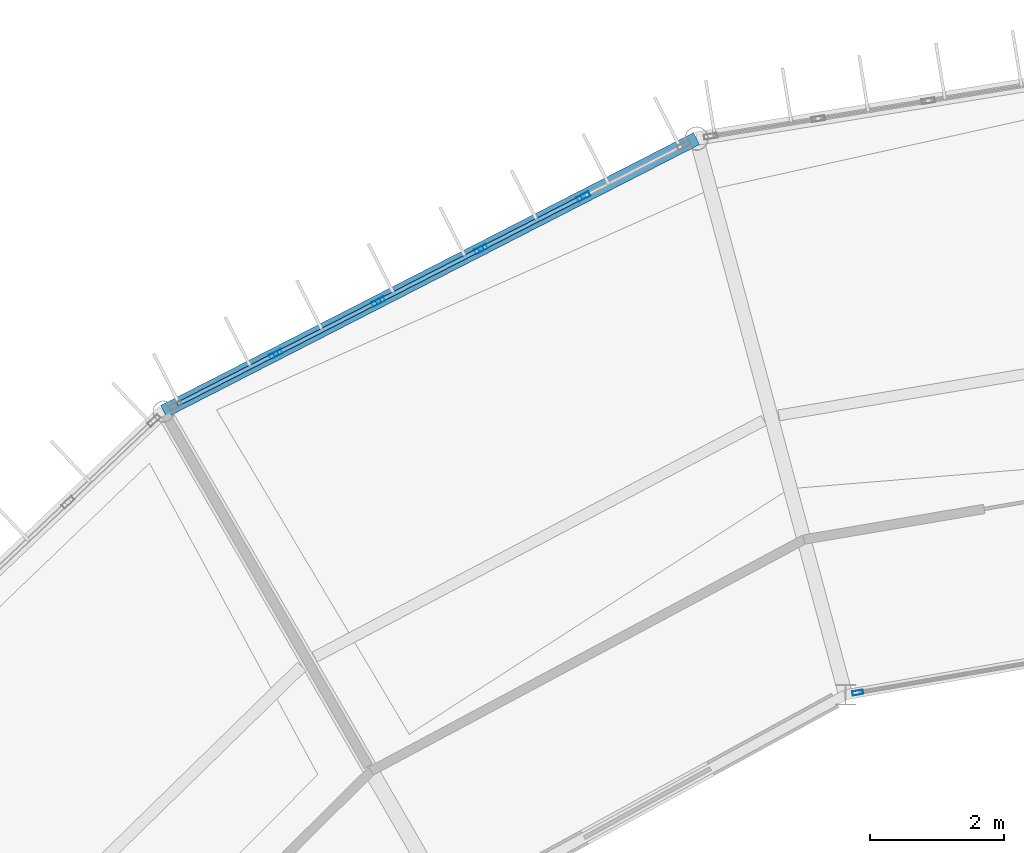
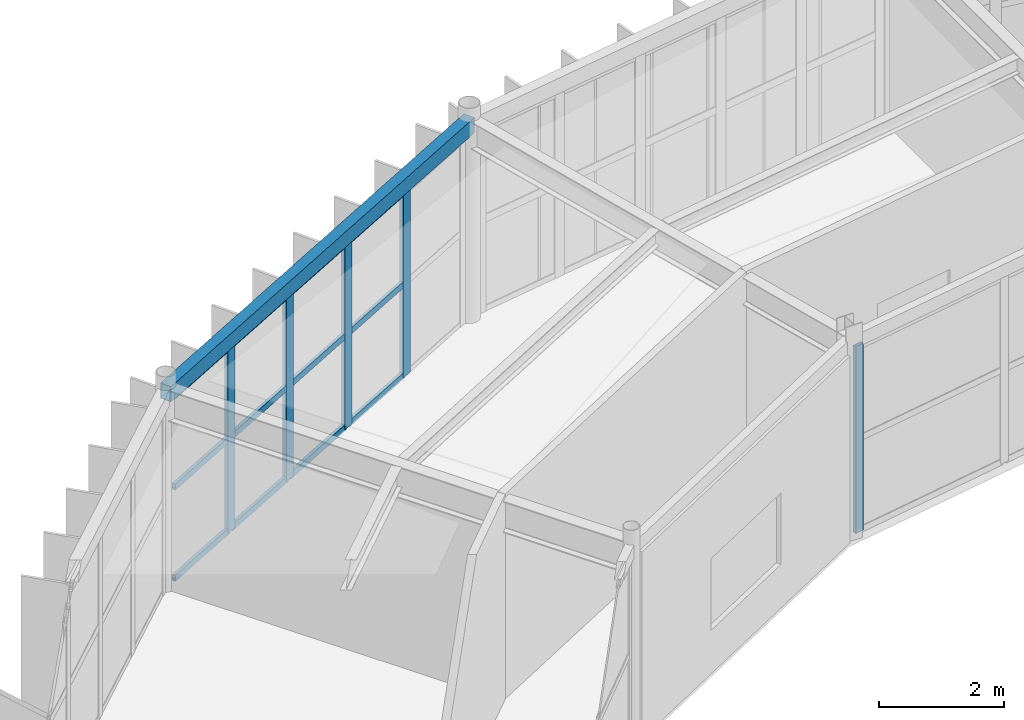
# One storey, part 78 of 147: 17 members, 1 beam, 2 elements without a shape of their own.
"""IFC4 building model written with IfcOpenShell, lengths in metres."""

from ifc_helpers import new_model, si_unit, direction, frame, origin, origin_2d, place, context, subcontext, project, spatial, hollow_rectangle, extrude, material, material_profile, profile_set, type_object, element, aggregate, save


model = new_model("IFC4")

# Units and contexts
model_context = context("Model", 3, precision=1e-05, world=origin(), true_north=direction((0.0, 1.0)))
body_context = subcontext(model_context, "Body", "Model", "MODEL_VIEW")
ifc_project = project(units=[si_unit("LENGTHUNIT", "METRE"), si_unit("AREAUNIT", "SQUARE_METRE"), si_unit("VOLUMEUNIT", "CUBIC_METRE"), si_unit("PLANEANGLEUNIT", "RADIAN"), si_unit("MASSUNIT", "GRAM", prefix="KILO")], contexts=[model_context])

# Site, building, storey
site_placement = place(None, origin())
site = spatial("IfcSite", under=ifc_project, at=site_placement, CompositionType="ELEMENT")
building_placement = place(site_placement, origin())
building = spatial("IfcBuilding", under=site, at=building_placement, Name="Karori Crest Natural Sciences Institute", CompositionType="ELEMENT")
storey_placement = place(building_placement, frame((0.0, 0.0, 9.10009765625)))
storey = spatial("IfcBuildingStorey", under=building, at=storey_placement, Name="L02", CompositionType="ELEMENT", Elevation=9.10009765625)

# Beam
ifc_material_1 = material(Name="Hollow structural steel AS/NZS 1163 Grade C350", Category="steel")
ifc_material_profile_1 = material_profile(ifc_material_1, hollow_rectangle(XDim=0.199951171875, YDim=0.300048828125, WallThickness=0.010009765625, at=origin_2d()), Name="RHS300x200x10")
ifc_profile_set_1 = profile_set([ifc_material_profile_1], Name="Hollow structural steel AS/NZS 1163 Grade C350")
beam_type = type_object("IfcBeamType", Name="BT-15", PredefinedType="SPANDREL", material=ifc_profile_set_1)
beam_placement = place(storey_placement, frame((57.85888671875, 89.309814453125, 3.789794921875), z_axis=(-0.890071733872, -0.455820478436, 0.0), x_axis=(0.455820478436, -0.890071733872, 0.0)))
element("IfcBeam", 1, at=beam_placement, inside=storey, type_object=beam_type, Name="Beam B-0297", PredefinedType="SPANDREL", context=body_context, shape_type="SweptSolid", body=[
    extrude(hollow_rectangle(XDim=0.199951171875, YDim=0.300048828125, WallThickness=0.010009765625, at=origin_2d()), origin(), (0.0, 0.0, 1.0), 8.94189453125),
])

# Curtain wall, member
ifc_material_2 = material(Name="Anodised architectural aluminium 6063-T6", Category="aluminium")
curtain_wall_type_1 = type_object("IfcCurtainWallType", Name="CWT-12", PredefinedType="NOTDEFINED", material=ifc_material_2)
curtain_wall_1_placement = place(storey_placement, origin())
curtain_wall_1 = element("IfcCurtainWall", 2, at=curtain_wall_1_placement, inside=storey, type_object=curtain_wall_type_1, Name="Curtain wall CW-0075", PredefinedType="NOTDEFINED")
ifc_material_profile_2 = material_profile(ifc_material_2, hollow_rectangle(XDim=0.06494140625, YDim=0.159912109375, WallThickness=0.00390625, at=origin_2d()), Name="CWM160x65x4")
ifc_profile_set_2 = profile_set([ifc_material_profile_2], Name="Anodised architectural aluminium 6063-T6")
member_type_1 = type_object("IfcMemberType", Name="CWM-01", PredefinedType="MULLION", material=ifc_profile_set_2)
member_1_placement = place(storey_placement, frame((60.267333984375, 81.03466796875, 0.0), z_axis=(0.0, 0.0, 1.0), x_axis=(0.171170381048, -0.985241442821, 0.0)))
member_1 = element("IfcMember", 3, at=member_1_placement, type_object=member_type_1, Name="CW-0075 mullion 3", PredefinedType="MULLION", context=body_context, shape_type="SweptSolid", body=[
    extrude(hollow_rectangle(XDim=0.06494140625, YDim=0.159912109375, WallThickness=0.00390625, at=origin_2d()), origin(), (0.0, 0.0, 1.0), 3.64990234375),
])
aggregate(curtain_wall_1, [member_1])

# Curtain wall, members
curtain_wall_type_2 = type_object("IfcCurtainWallType", Name="CWT-08", PredefinedType="NOTDEFINED", material=ifc_material_2)
curtain_wall_2_placement = place(storey_placement, origin())
curtain_wall_2 = element("IfcCurtainWall", 4, at=curtain_wall_2_placement, inside=storey, type_object=curtain_wall_type_2, Name="Curtain wall CW-0076", PredefinedType="NOTDEFINED")
ifc_material_profile_3 = material_profile(ifc_material_2, hollow_rectangle(XDim=0.074951171875, YDim=0.199951171875, WallThickness=0.0048828125, at=origin_2d()), Name="CWM200x75x5")
ifc_profile_set_3 = profile_set([ifc_material_profile_3], Name="Anodised architectural aluminium 6063-T6")
member_type_2 = type_object("IfcMemberType", Name="CWM-02", PredefinedType="MULLION", material=ifc_profile_set_3)
member_2_placement = place(storey_placement, frame((51.574462890625, 86.09130859375, 0.0), z_axis=(0.0, 0.0, 1.0), x_axis=(-0.455832988828, 0.890065326982, 0.0)))
member_2 = element("IfcMember", 5, at=member_2_placement, type_object=member_type_2, Name="CW-0076 mullion 2", PredefinedType="MULLION", context=body_context, shape_type="SweptSolid", body=[
    extrude(hollow_rectangle(XDim=0.074951171875, YDim=0.199951171875, WallThickness=0.0048828125, at=origin_2d()), origin(), (0.0, 0.0, 1.0), 3.625),
])
member_3_placement = place(storey_placement, frame((53.1064453125, 86.8759765625, 0.0), z_axis=(0.0, 0.0, 1.0), x_axis=(-0.455832988828, 0.890065326982, 0.0)))
member_3 = element("IfcMember", 6, at=member_3_placement, type_object=member_type_2, Name="CW-0076 mullion 3", PredefinedType="MULLION", context=body_context, shape_type="SweptSolid", body=[
    extrude(hollow_rectangle(XDim=0.074951171875, YDim=0.199951171875, WallThickness=0.0048828125, at=origin_2d()), origin(), (0.0, 0.0, 1.0), 3.625),
])
member_4_placement = place(storey_placement, frame((54.638427734375, 87.660400390625, 0.0), z_axis=(0.0, 0.0, 1.0), x_axis=(-0.455832988828, 0.890065326982, 0.0)))
member_4 = element("IfcMember", 7, at=member_4_placement, type_object=member_type_2, Name="CW-0076 mullion 4", PredefinedType="MULLION", context=body_context, shape_type="SweptSolid", body=[
    extrude(hollow_rectangle(XDim=0.074951171875, YDim=0.199951171875, WallThickness=0.0048828125, at=origin_2d()), origin(), (0.0, 0.0, 1.0), 3.625),
])
member_5_placement = place(storey_placement, frame((56.17041015625, 88.445068359375, 0.0), z_axis=(0.0, 0.0, 1.0), x_axis=(-0.455832988828, 0.890065326982, 0.0)))
member_5 = element("IfcMember", 8, at=member_5_placement, type_object=member_type_2, Name="CW-0076 mullion 5", PredefinedType="MULLION", context=body_context, shape_type="SweptSolid", body=[
    extrude(hollow_rectangle(XDim=0.074951171875, YDim=0.199951171875, WallThickness=0.0048828125, at=origin_2d()), origin(), (0.0, 0.0, 1.0), 3.625),
])
ifc_material_profile_4 = material_profile(ifc_material_2, hollow_rectangle(XDim=0.06005859375, YDim=0.1201171875, WallThickness=0.00390625, at=origin_2d()), Name="CWT120x60x4")
ifc_profile_set_4 = profile_set([ifc_material_profile_4], Name="Anodised architectural aluminium 6063-T6")
member_type_3 = type_object("IfcMemberType", Name="CWT-TR1", PredefinedType="USERDEFINED", material=ifc_profile_set_4)
member_6_placement = place(storey_placement, frame((50.109130859375, 85.3408203125, 0.02978515625), z_axis=(0.890044866674, 0.455872937679, 0.0), x_axis=(-0.455872937679, 0.890044866674, 0.0)))
member_6 = element("IfcMember", 9, at=member_6_placement, type_object=member_type_3, Name="CW-0076 transom 1.1", ObjectType="TRANSOM", PredefinedType="USERDEFINED", context=body_context, shape_type="SweptSolid", body=[
    extrude(hollow_rectangle(XDim=0.06005859375, YDim=0.1201171875, WallThickness=0.00390625, at=origin_2d()), origin(), (0.0, 0.0, 1.0), 1.60888671875),
])
member_7_placement = place(storey_placement, frame((50.109130859375, 85.3408203125, 1.8125), z_axis=(0.890044866674, 0.455872937679, 0.0), x_axis=(-0.455872937679, 0.890044866674, 0.0)))
member_7 = element("IfcMember", 10, at=member_7_placement, type_object=member_type_3, Name="CW-0076 transom 1.2", ObjectType="TRANSOM", PredefinedType="USERDEFINED", context=body_context, shape_type="SweptSolid", body=[
    extrude(hollow_rectangle(XDim=0.06005859375, YDim=0.1201171875, WallThickness=0.00390625, at=origin_2d()), origin(), (0.0, 0.0, 1.0), 1.60888671875),
])
member_8_placement = place(storey_placement, frame((50.109130859375, 85.3408203125, 3.594970703125), z_axis=(0.890044866674, 0.455872937679, 0.0), x_axis=(-0.455872937679, 0.890044866674, 0.0)))
member_8 = element("IfcMember", 11, at=member_8_placement, type_object=member_type_3, Name="CW-0076 transom 1.3", ObjectType="TRANSOM", PredefinedType="USERDEFINED", context=body_context, shape_type="SweptSolid", body=[
    extrude(hollow_rectangle(XDim=0.06005859375, YDim=0.1201171875, WallThickness=0.00390625, at=origin_2d()), origin(), (0.0, 0.0, 1.0), 1.60888671875),
])
member_9_placement = place(storey_placement, frame((51.60791015625, 86.1083984375, 0.02978515625), z_axis=(0.890024283327, 0.455913122304, 0.0), x_axis=(-0.455913122304, 0.890024283327, 0.0)))
member_9 = element("IfcMember", 12, at=member_9_placement, type_object=member_type_3, Name="CW-0076 transom 2.1", ObjectType="TRANSOM", PredefinedType="USERDEFINED", context=body_context, shape_type="SweptSolid", body=[
    extrude(hollow_rectangle(XDim=0.06005859375, YDim=0.1201171875, WallThickness=0.00390625, at=origin_2d()), origin(), (0.0, 0.0, 1.0), 1.646240234375),
])
member_10_placement = place(storey_placement, frame((51.60791015625, 86.1083984375, 1.8125), z_axis=(0.890024283327, 0.455913122304, 0.0), x_axis=(-0.455913122304, 0.890024283327, 0.0)))
member_10 = element("IfcMember", 13, at=member_10_placement, type_object=member_type_3, Name="CW-0076 transom 2.2", ObjectType="TRANSOM", PredefinedType="USERDEFINED", context=body_context, shape_type="SweptSolid", body=[
    extrude(hollow_rectangle(XDim=0.06005859375, YDim=0.1201171875, WallThickness=0.00390625, at=origin_2d()), origin(), (0.0, 0.0, 1.0), 1.646240234375),
])
member_11_placement = place(storey_placement, frame((51.60791015625, 86.1083984375, 3.594970703125), z_axis=(0.890024283327, 0.455913122304, 0.0), x_axis=(-0.455913122304, 0.890024283327, 0.0)))
member_11 = element("IfcMember", 14, at=member_11_placement, type_object=member_type_3, Name="CW-0076 transom 2.3", ObjectType="TRANSOM", PredefinedType="USERDEFINED", context=body_context, shape_type="SweptSolid", body=[
    extrude(hollow_rectangle(XDim=0.06005859375, YDim=0.1201171875, WallThickness=0.00390625, at=origin_2d()), origin(), (0.0, 0.0, 1.0), 1.646240234375),
])
member_12_placement = place(storey_placement, frame((53.139892578125, 86.89306640625, 0.02978515625), z_axis=(0.890084461025, 0.455795625518, 0.0), x_axis=(-0.455795625518, 0.890084461025, 0.0)))
member_12 = element("IfcMember", 15, at=member_12_placement, type_object=member_type_3, Name="CW-0076 transom 3.1", ObjectType="TRANSOM", PredefinedType="USERDEFINED", context=body_context, shape_type="SweptSolid", body=[
    extrude(hollow_rectangle(XDim=0.06005859375, YDim=0.1201171875, WallThickness=0.00390625, at=origin_2d()), origin(), (0.0, 0.0, 1.0), 1.64599609375),
])
member_13_placement = place(storey_placement, frame((53.139892578125, 86.89306640625, 1.8125), z_axis=(0.890084461025, 0.455795625518, 0.0), x_axis=(-0.455795625518, 0.890084461025, 0.0)))
member_13 = element("IfcMember", 16, at=member_13_placement, type_object=member_type_3, Name="CW-0076 transom 3.2", ObjectType="TRANSOM", PredefinedType="USERDEFINED", context=body_context, shape_type="SweptSolid", body=[
    extrude(hollow_rectangle(XDim=0.06005859375, YDim=0.1201171875, WallThickness=0.00390625, at=origin_2d()), origin(), (0.0, 0.0, 1.0), 1.64599609375),
])
member_14_placement = place(storey_placement, frame((53.139892578125, 86.89306640625, 3.594970703125), z_axis=(0.890084461025, 0.455795625518, 0.0), x_axis=(-0.455795625518, 0.890084461025, 0.0)))
member_14 = element("IfcMember", 17, at=member_14_placement, type_object=member_type_3, Name="CW-0076 transom 3.3", ObjectType="TRANSOM", PredefinedType="USERDEFINED", context=body_context, shape_type="SweptSolid", body=[
    extrude(hollow_rectangle(XDim=0.06005859375, YDim=0.1201171875, WallThickness=0.00390625, at=origin_2d()), origin(), (0.0, 0.0, 1.0), 1.64599609375),
])
member_15_placement = place(storey_placement, frame((54.671875, 87.677490234375, 0.02978515625), z_axis=(0.890055105015, 0.45585294782, 0.0), x_axis=(-0.45585294782, 0.890055105015, 0.0)))
member_15 = element("IfcMember", 18, at=member_15_placement, type_object=member_type_3, Name="CW-0076 transom 4.1", ObjectType="TRANSOM", PredefinedType="USERDEFINED", context=body_context, shape_type="SweptSolid", body=[
    extrude(hollow_rectangle(XDim=0.06005859375, YDim=0.1201171875, WallThickness=0.00390625, at=origin_2d()), origin(), (0.0, 0.0, 1.0), 1.646240234375),
])
member_16_placement = place(storey_placement, frame((54.671875, 87.677490234375, 1.8125), z_axis=(0.890055105015, 0.45585294782, 0.0), x_axis=(-0.45585294782, 0.890055105015, 0.0)))
member_16 = element("IfcMember", 19, at=member_16_placement, type_object=member_type_3, Name="CW-0076 transom 4.2", ObjectType="TRANSOM", PredefinedType="USERDEFINED", context=body_context, shape_type="SweptSolid", body=[
    extrude(hollow_rectangle(XDim=0.06005859375, YDim=0.1201171875, WallThickness=0.00390625, at=origin_2d()), origin(), (0.0, 0.0, 1.0), 1.646240234375),
])
member_17_placement = place(storey_placement, frame((54.671875, 87.677490234375, 3.594970703125), z_axis=(0.890055105015, 0.45585294782, 0.0), x_axis=(-0.45585294782, 0.890055105015, 0.0)))
member_17 = element("IfcMember", 20, at=member_17_placement, type_object=member_type_3, Name="CW-0076 transom 4.3", ObjectType="TRANSOM", PredefinedType="USERDEFINED", context=body_context, shape_type="SweptSolid", body=[
    extrude(hollow_rectangle(XDim=0.06005859375, YDim=0.1201171875, WallThickness=0.00390625, at=origin_2d()), origin(), (0.0, 0.0, 1.0), 1.646240234375),
])
aggregate(curtain_wall_2, [member_2, member_3, member_4, member_5, member_6, member_7, member_8, member_9, member_10, member_11, member_12, member_13, member_14, member_15, member_16, member_17])

save(model, "model.ifc")
